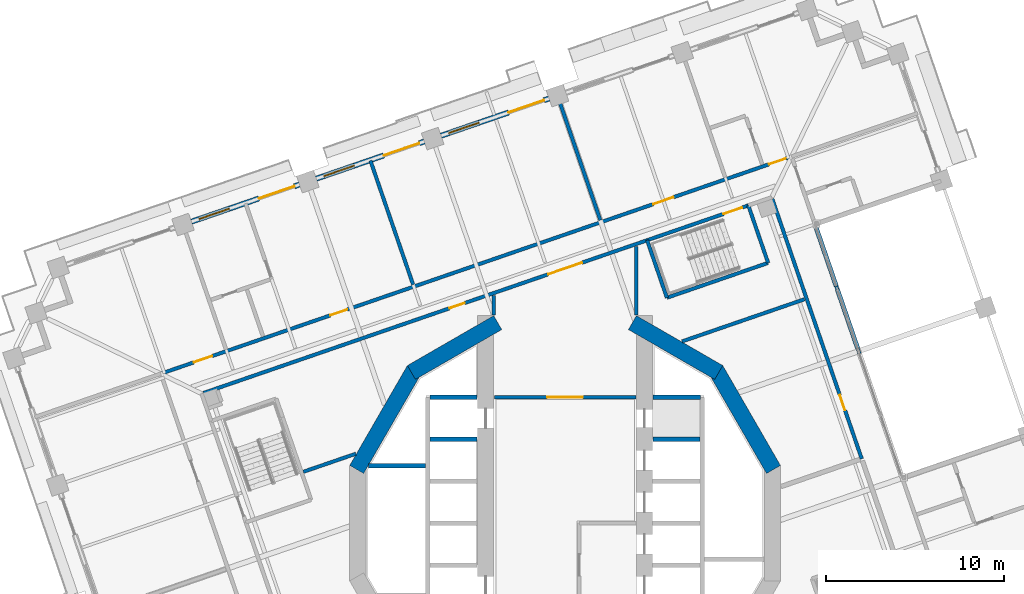
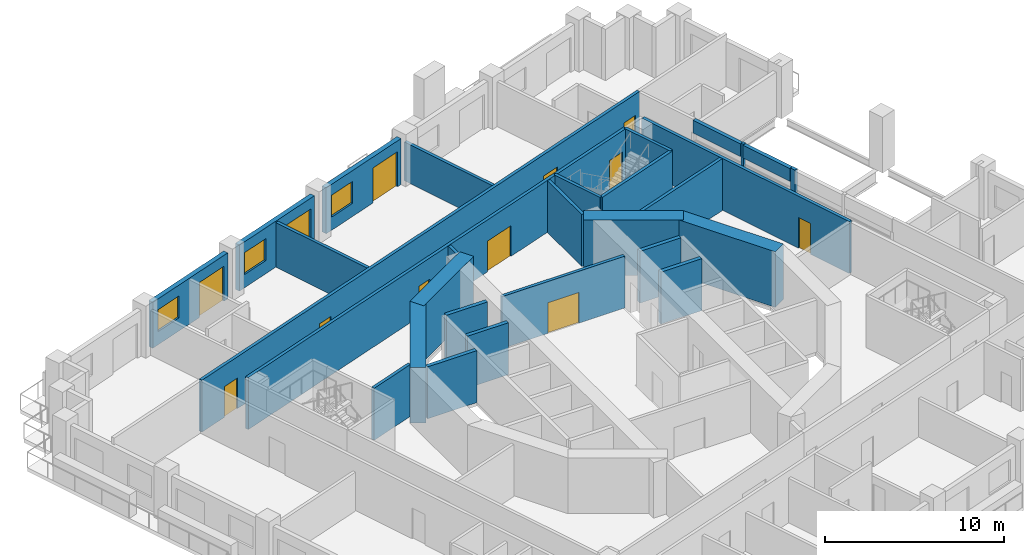
# One storey, part 11 of 19: 30 walls, 12 doors, 3 windows, 15 openings.
"""IFC4 building model written with IfcOpenShell, lengths in metres."""

from ifc_helpers import new_model, si_unit, direction, frame, frame_2d, origin, place, context, subcontext, project, spatial, rectangle, extrude, material, layer, layer_set, type_object, element, fill, save


model = new_model("IFC4")

# Units and contexts
model_context = context("Model", 3, precision=1e-05, world=origin(), true_north=direction((0.0, 1.0)))
body_context = subcontext(model_context, "Body", "Model", "MODEL_VIEW")
ifc_project = project(units=[si_unit("LENGTHUNIT", "METRE"), si_unit("AREAUNIT", "SQUARE_METRE"), si_unit("VOLUMEUNIT", "CUBIC_METRE"), si_unit("PLANEANGLEUNIT", "RADIAN"), si_unit("MASSUNIT", "GRAM", prefix="KILO")], contexts=[model_context])

# Site, building, storey
site_placement = place(None, origin())
site = spatial("IfcSite", under=ifc_project, at=site_placement, CompositionType="ELEMENT")
building_placement = place(site_placement, origin())
building = spatial("IfcBuilding", under=site, at=building_placement, Name="Cantera Rosa Tower", CompositionType="ELEMENT")
storey_placement = place(building_placement, frame((0.0, 0.0, 130.699951171875)))
storey = spatial("IfcBuildingStorey", under=building, at=storey_placement, Name="L27", CompositionType="ELEMENT", Elevation=130.699951171875)

# Wall
ifc_material_1 = material(Name="Gypsum board partition")
ifc_layer_1 = layer(ifc_material_1, 0.199951171875)
ifc_layer_set_1 = layer_set([ifc_layer_1], Name="CORRIDOR WALL 200 H3550")
wall_type_1 = type_object("IfcWallType", Name="CORRIDOR WALL 200 H3550", PredefinedType="PARTITIONING", material=ifc_layer_set_1)
wall_1_placement = place(storey_placement, frame((-4.0, 12.760498046875, 0.0), z_axis=(0.0, 0.0, 1.0), x_axis=(0.0, -1.0, 0.0)))
element("IfcWall", 1, at=wall_1_placement, inside=storey, type_object=wall_type_1, Name="CORRIDOR WALL L27-043", PredefinedType="PARTITIONING", context=body_context, shape_type="SweptSolid", body=[
    extrude(rectangle(XDim=1.09326171875, YDim=0.199951171875, at=frame_2d((0.546630859375, 0.0))), origin(), (0.0, 0.0, 1.0), 3.550048828125),
])

# Wall, opening, door
wall_2_placement = place(storey_placement, frame((-3.969970703125, 7.050048828125, 0.0), z_axis=(0.0, 0.0, 1.0), x_axis=(1.0, 0.0, 0.0)))
wall_2 = element("IfcWall", 2, at=wall_2_placement, inside=storey, type_object=wall_type_1, Name="CORRIDOR WALL L27-044", PredefinedType="PARTITIONING", context=body_context, shape_type="SweptSolid", body=[
    extrude(rectangle(XDim=7.93994140625, YDim=0.199951171875, at=frame_2d((3.969970703125, 0.0))), origin(), (0.0, 0.0, 1.0), 3.550048828125),
])
opening_1_placement = place(wall_2_placement, frame((2.969970703125, 0.0, 0.0)))
opening_1 = element("IfcOpeningElement", 3, at=opening_1_placement, cuts=wall_2, Name="Opening L27-010", PredefinedType="OPENING", context=body_context, shape_type="SweptSolid", body=[
    extrude(rectangle(XDim=2.0, YDim=2.10009765625, at=frame_2d((1.0, 1.050048828125))), frame((0.0, 0.10986328125, 0.0), z_axis=(0.0, -1.0, 0.0), x_axis=(1.0, 0.0, 0.0)), (0.0, 0.0, 1.0), 0.219970703125),
])
ifc_material_2 = material(Name="Steel S355J2 (EN 10025-2)", Category="steel")
door_type_1 = type_object("IfcDoorType", Name="LOBBY SCREEN DOOR 2000x2100", OperationType="NOTDEFINED", PredefinedType="DOOR", material=ifc_material_2)
door_1_placement = place(opening_1_placement, origin())
door_1 = element("IfcDoor", 4, at=door_1_placement, inside=storey, type_object=door_type_1, Name="DOOR L27-010", OperationType="NOTDEFINED", OverallHeight=2.10009765625, OverallWidth=2.0, PredefinedType="DOOR", context=body_context, shape_type="SweptSolid", body=[
    extrude(rectangle(XDim=2.0, YDim=2.10009765625, at=frame_2d((1.0, 1.050048828125))), frame((0.0, 0.02490234375, 0.0), z_axis=(0.0, -1.0, 0.0), x_axis=(1.0, 0.0, 0.0)), (0.0, 0.0, 1.0), 0.050048828125),
])
fill(opening_1, door_1)

# Wall
wall_3_placement = place(storey_placement, frame((4.0, 15.51513671875, 0.0), z_axis=(0.0, 0.0, 1.0), x_axis=(0.0, -1.0, 0.0)))
element("IfcWall", 5, at=wall_3_placement, inside=storey, type_object=wall_type_1, Name="CORRIDOR WALL L27-056", PredefinedType="PARTITIONING", context=body_context, shape_type="SweptSolid", body=[
    extrude(rectangle(XDim=3.847900390625, YDim=0.199951171875, at=frame_2d((1.923828125, 0.0))), origin(), (0.0, 0.0, 1.0), 3.550048828125),
])

# Wall, openings, doors
wall_4_placement = place(storey_placement, frame((4.599365234375, 15.861572265625, 0.0), z_axis=(0.0, 0.0, 1.0), x_axis=(-0.94551912499, -0.325566558907, 0.0)))
wall_4 = element("IfcWall", 6, at=wall_4_placement, inside=storey, type_object=wall_type_1, Name="CORRIDOR WALL L27-057", PredefinedType="PARTITIONING", context=body_context, shape_type="SweptSolid", body=[
    extrude(rectangle(XDim=26.292724609375, YDim=0.199951171875, at=frame_2d((13.146484375, 0.0))), origin(), (0.0, 0.0, 1.0), 3.550048828125),
])
opening_2_placement = place(wall_4_placement, frame((10.8095703125, 0.0, 0.0)))
opening_2 = element("IfcOpeningElement", 7, at=opening_2_placement, cuts=wall_4, Name="Opening L27-005", PredefinedType="OPENING", context=body_context, shape_type="SweptSolid", body=[
    extrude(rectangle(XDim=0.89990234375, YDim=2.10009765625, at=frame_2d((0.449951171875, 1.050048828125))), frame((0.0, 0.10986328125, 0.0), z_axis=(0.0, -1.0, 0.0), x_axis=(1.0, 0.0, 0.0)), (0.0, 0.0, 1.0), 0.219970703125),
])
opening_3_placement = place(wall_4_placement, frame((3.864501953125, 0.0, 0.0)))
opening_3 = element("IfcOpeningElement", 8, at=opening_3_placement, cuts=wall_4, Name="Opening L27-009", PredefinedType="OPENING", context=body_context, shape_type="SweptSolid", body=[
    extrude(rectangle(XDim=2.0, YDim=2.10009765625, at=frame_2d((1.0, 1.050048828125))), frame((0.0, 0.10986328125, 0.0), z_axis=(0.0, -1.0, 0.0), x_axis=(1.0, 0.0, 0.0)), (0.0, 0.0, 1.0), 0.219970703125),
])
door_2_placement = place(opening_3_placement, origin())
door_2 = element("IfcDoor", 9, at=door_2_placement, inside=storey, type_object=door_type_1, Name="DOOR L27-009", OperationType="NOTDEFINED", OverallHeight=2.10009765625, OverallWidth=2.0, PredefinedType="DOOR", context=body_context, shape_type="SweptSolid", body=[
    extrude(rectangle(XDim=2.0, YDim=2.10009765625, at=frame_2d((1.0, 1.050048828125))), frame((0.0, 0.02490234375, 0.0), z_axis=(0.0, -1.0, 0.0), x_axis=(1.0, 0.0, 0.0)), (0.0, 0.0, 1.0), 0.050048828125),
])
fill(opening_3, door_2)
ifc_material_3 = material(Name="Timber door leaf", Category="wood")
door_type_2 = type_object("IfcDoorType", Name="SERVICE DOOR 900x2100", OperationType="NOTDEFINED", PredefinedType="DOOR", material=ifc_material_3)
door_3_placement = place(opening_2_placement, origin())
door_3 = element("IfcDoor", 10, at=door_3_placement, inside=storey, type_object=door_type_2, Name="DOOR L27-005", OperationType="NOTDEFINED", OverallHeight=2.10009765625, OverallWidth=0.89990234375, PredefinedType="DOOR", context=body_context, shape_type="SweptSolid", body=[
    extrude(rectangle(XDim=0.89990234375, YDim=2.10009765625, at=frame_2d((0.449951171875, 1.050048828125))), frame((0.0, 0.02490234375, 0.0), z_axis=(0.0, -1.0, 0.0), x_axis=(1.0, 0.0, 0.0)), (0.0, 0.0, 1.0), 0.050048828125),
])
fill(opening_2, door_3)

wall_5_placement = place(storey_placement, frame((12.699951171875, 20.5546875, 0.0), z_axis=(0.0, 0.0, 1.0), x_axis=(-0.945517119144, -0.32557238428, 0.0)))
wall_5 = element("IfcWall", 11, at=wall_5_placement, inside=storey, type_object=wall_type_1, Name="CORRIDOR WALL L27-078", PredefinedType="PARTITIONING", context=body_context, shape_type="SweptSolid", body=[
    extrude(rectangle(XDim=37.380126953125, YDim=0.199951171875, at=frame_2d((18.68994140625, 0.0))), origin(), (0.0, 0.0, 1.0), 3.550048828125),
])
opening_4_placement = place(wall_5_placement, frame((7.0, 0.0, 0.0)))
opening_4 = element("IfcOpeningElement", 12, at=opening_4_placement, cuts=wall_5, Name="Opening L27-020", PredefinedType="OPENING", context=body_context, shape_type="SweptSolid", body=[
    extrude(rectangle(XDim=1.199951171875, YDim=2.10009765625, at=frame_2d((0.60009765625, 1.050048828125))), frame((0.0, 0.10986328125, 0.0), z_axis=(0.0, -1.0, 0.0), x_axis=(1.0, 0.0, 0.0)), (0.0, 0.0, 1.0), 0.219970703125),
])
opening_5_placement = place(wall_5_placement, frame((26.35009765625, 0.0, 0.0)))
opening_5 = element("IfcOpeningElement", 13, at=opening_5_placement, cuts=wall_5, Name="Opening L27-021", PredefinedType="OPENING", context=body_context, shape_type="SweptSolid", body=[
    extrude(rectangle(XDim=1.0, YDim=2.10009765625, at=frame_2d((0.5, 1.050048828125))), frame((0.0, 0.10986328125, 0.0), z_axis=(0.0, -1.0, 0.0), x_axis=(1.0, 0.0, 0.0)), (0.0, 0.0, 1.0), 0.219970703125),
])
opening_6_placement = place(wall_5_placement, frame((0.35009765625, 0.0, 0.0)))
opening_6 = element("IfcOpeningElement", 14, at=opening_6_placement, cuts=wall_5, Name="Opening L27-024", PredefinedType="OPENING", context=body_context, shape_type="SweptSolid", body=[
    extrude(rectangle(XDim=1.0, YDim=2.10009765625, at=frame_2d((0.5, 1.050048828125))), frame((0.0, 0.10986328125, 0.0), z_axis=(0.0, -1.0, 0.0), x_axis=(1.0, 0.0, 0.0)), (0.0, 0.0, 1.0), 0.219970703125),
])
opening_7_placement = place(wall_5_placement, frame((34.35009765625, 0.0, 0.0)))
opening_7 = element("IfcOpeningElement", 15, at=opening_7_placement, cuts=wall_5, Name="Opening L27-026", PredefinedType="OPENING", context=body_context, shape_type="SweptSolid", body=[
    extrude(rectangle(XDim=1.10009765625, YDim=2.10009765625, at=frame_2d((0.550048828125, 1.050048828125))), frame((0.0, 0.10986328125, 0.0), z_axis=(0.0, -1.0, 0.0), x_axis=(1.0, 0.0, 0.0)), (0.0, 0.0, 1.0), 0.219970703125),
])
ifc_material_4 = material(Name="Timber door leaf", Category="wood")
door_type_3 = type_object("IfcDoorType", Name="ENTRANCE DOOR 1000x2100", OperationType="NOTDEFINED", PredefinedType="DOOR", material=ifc_material_4)
door_4_placement = place(opening_5_placement, origin())
door_4 = element("IfcDoor", 16, at=door_4_placement, inside=storey, type_object=door_type_3, Name="DOOR L27-021", OperationType="NOTDEFINED", OverallHeight=2.10009765625, OverallWidth=1.0, PredefinedType="DOOR", context=body_context, shape_type="SweptSolid", body=[
    extrude(rectangle(XDim=1.0, YDim=2.10009765625, at=frame_2d((0.5, 1.050048828125))), frame((0.0, 0.02490234375, 0.0), z_axis=(0.0, -1.0, 0.0), x_axis=(1.0, 0.0, 0.0)), (0.0, 0.0, 1.0), 0.050048828125),
])
fill(opening_5, door_4)
door_5_placement = place(opening_6_placement, origin())
door_5 = element("IfcDoor", 17, at=door_5_placement, inside=storey, type_object=door_type_3, Name="DOOR L27-024", OperationType="NOTDEFINED", OverallHeight=2.10009765625, OverallWidth=1.0, PredefinedType="DOOR", context=body_context, shape_type="SweptSolid", body=[
    extrude(rectangle(XDim=1.0, YDim=2.10009765625, at=frame_2d((0.5, 1.050048828125))), frame((0.0, 0.02490234375, 0.0), z_axis=(0.0, -1.0, 0.0), x_axis=(1.0, 0.0, 0.0)), (0.0, 0.0, 1.0), 0.050048828125),
])
fill(opening_6, door_5)
ifc_material_5 = material(Name="Timber door leaf", Category="wood")
door_type_4 = type_object("IfcDoorType", Name="ROOM DOOR 1100x2100", OperationType="NOTDEFINED", PredefinedType="DOOR", material=ifc_material_5)
door_6_placement = place(opening_7_placement, origin())
door_6 = element("IfcDoor", 18, at=door_6_placement, inside=storey, type_object=door_type_4, Name="DOOR L27-026", OperationType="NOTDEFINED", OverallHeight=2.10009765625, OverallWidth=1.10009765625, PredefinedType="DOOR", context=body_context, shape_type="SweptSolid", body=[
    extrude(rectangle(XDim=1.10009765625, YDim=2.10009765625, at=frame_2d((0.550048828125, 1.050048828125))), frame((0.0, 0.02490234375, 0.0), z_axis=(0.0, -1.0, 0.0), x_axis=(1.0, 0.0, 0.0)), (0.0, 0.0, 1.0), 0.050048828125),
])
fill(opening_7, door_6)
ifc_material_6 = material(Name="Timber door leaf", Category="wood")
door_type_5 = type_object("IfcDoorType", Name="ROOM DOOR 1200x2100", OperationType="NOTDEFINED", PredefinedType="DOOR", material=ifc_material_6)
door_7_placement = place(opening_4_placement, origin())
door_7 = element("IfcDoor", 19, at=door_7_placement, inside=storey, type_object=door_type_5, Name="DOOR L27-020", OperationType="NOTDEFINED", OverallHeight=2.10009765625, OverallWidth=1.199951171875, PredefinedType="DOOR", context=body_context, shape_type="SweptSolid", body=[
    extrude(rectangle(XDim=1.199951171875, YDim=2.10009765625, at=frame_2d((0.60009765625, 1.050048828125))), frame((0.0, 0.02490234375, 0.0), z_axis=(0.0, -1.0, 0.0), x_axis=(1.0, 0.0, 0.0)), (0.0, 0.0, 1.0), 0.050048828125),
])
fill(opening_4, door_7)

# Wall, opening, door
wall_6_placement = place(storey_placement, frame((16.63037109375, 3.611083984375, 0.0), z_axis=(0.0, 0.0, 1.0), x_axis=(-0.325562662284, 0.945520466689, 0.0)))
wall_6 = element("IfcWall", 20, at=wall_6_placement, inside=storey, type_object=wall_type_1, Name="CORRIDOR WALL L27-084", PredefinedType="PARTITIONING", context=body_context, shape_type="SweptSolid", body=[
    extrude(rectangle(XDim=15.39990234375, YDim=0.199951171875, at=frame_2d((7.699951171875, 0.0))), origin(), (0.0, 0.0, 1.0), 3.550048828125),
])
opening_8_placement = place(wall_6_placement, frame((2.875, 0.0, 0.0)))
opening_8 = element("IfcOpeningElement", 21, at=opening_8_placement, cuts=wall_6, Name="Opening L27-004", PredefinedType="OPENING", context=body_context, shape_type="SweptSolid", body=[
    extrude(rectangle(XDim=0.89990234375, YDim=2.10009765625, at=frame_2d((0.449951171875, 1.050048828125))), frame((0.0, 0.10986328125, 0.0), z_axis=(0.0, -1.0, 0.0), x_axis=(1.0, 0.0, 0.0)), (0.0, 0.0, 1.0), 0.219970703125),
])
door_8_placement = place(opening_8_placement, origin())
door_8 = element("IfcDoor", 22, at=door_8_placement, inside=storey, type_object=door_type_2, Name="DOOR L27-004", OperationType="NOTDEFINED", OverallHeight=2.10009765625, OverallWidth=0.89990234375, PredefinedType="DOOR", context=body_context, shape_type="SweptSolid", body=[
    extrude(rectangle(XDim=0.89990234375, YDim=2.10009765625, at=frame_2d((0.449951171875, 1.050048828125))), frame((0.0, 0.02490234375, 0.0), z_axis=(0.0, -1.0, 0.0), x_axis=(1.0, 0.0, 0.0)), (0.0, 0.0, 1.0), 0.050048828125),
])
fill(opening_8, door_8)

# Walls
wall_7_placement = place(storey_placement, frame((16.510986328125, 9.486328125, 0.0), z_axis=(0.0, 0.0, 1.0), x_axis=(-0.325038663905, 0.945700728014, 0.0)))
element("IfcWall", 23, at=wall_7_placement, inside=storey, type_object=wall_type_1, Name="CORRIDOR WALL L27-100", PredefinedType="PARTITIONING", context=body_context, shape_type="SweptSolid", body=[
    extrude(rectangle(XDim=0.33203125, YDim=0.199951171875, at=frame_2d((0.166015625, 0.0))), origin(), (0.0, 0.0, 1.0), 3.550048828125),
])
wall_8_placement = place(storey_placement, frame((15.264404296875, 13.106689453125, 0.0), z_axis=(0.0, 0.0, 1.0), x_axis=(-0.324903788454, 0.945747074142, 0.0)))
element("IfcWall", 24, at=wall_8_placement, inside=storey, type_object=wall_type_1, Name="CORRIDOR WALL L27-101", PredefinedType="PARTITIONING", context=body_context, shape_type="SweptSolid", body=[
    extrude(rectangle(XDim=0.19384765625, YDim=0.199951171875, at=frame_2d((0.096923828125, 0.0))), origin(), (0.0, 0.0, 1.0), 3.550048828125),
])

# Wall, openings, window, door
ifc_material_7 = material(Name="Hollow clay masonry with cantera stone cladding", Category="masonry")
ifc_layer_2 = layer(ifc_material_7, 0.300048828125)
ifc_layer_set_2 = layer_set([ifc_layer_2], Name="EW-LOGGIA 300 H3140")
wall_type_2 = type_object("IfcWallType", Name="EW-LOGGIA 300 H3140", PredefinedType="SOLIDWALL", material=ifc_layer_set_2)
wall_9_placement = place(storey_placement, frame((-0.89892578125, 23.80419921875, 0.0), z_axis=(0.0, 0.0, 1.0), x_axis=(-0.945524496524, -0.325550958337, 0.0)))
wall_9 = element("IfcWall", 25, at=wall_9_placement, inside=storey, type_object=wall_type_2, Name="EN-L27-W10", PredefinedType="SOLIDWALL", context=body_context, shape_type="SweptSolid", body=[
    extrude(rectangle(XDim=6.39990234375, YDim=0.300048828125, at=frame_2d((3.199951171875, 0.0))), origin(), (0.0, 0.0, 1.0), 3.14013671875),
])
opening_9_placement = place(wall_9_placement, frame((0.300048828125, 0.0, 0.0)))
opening_9 = element("IfcOpeningElement", 26, at=opening_9_placement, cuts=wall_9, Name="Opening L27-TD11", PredefinedType="OPENING", context=body_context, shape_type="SweptSolid", body=[
    extrude(rectangle(XDim=2.10009765625, YDim=2.39990234375, at=frame_2d((1.050048828125, 1.199951171875))), frame((0.0, 0.159912109375, 0.0), z_axis=(0.0, -1.0, 0.0), x_axis=(1.0, 0.0, 0.0)), (0.0, 0.0, 1.0), 0.320068359375),
])
opening_10_placement = place(wall_9_placement, frame((4.14990234375, 0.0, 0.89990234375)))
opening_10 = element("IfcOpeningElement", 27, at=opening_10_placement, cuts=wall_9, Name="Opening L27-W12", PredefinedType="OPENING", context=body_context, shape_type="SweptSolid", body=[
    extrude(rectangle(XDim=1.800048828125, YDim=1.5, at=frame_2d((0.89990234375, 0.75))), frame((0.0, 0.159912109375, 0.0), z_axis=(0.0, -1.0, 0.0), x_axis=(1.0, 0.0, 0.0)), (0.0, 0.0, 1.0), 0.320068359375),
])
ifc_material_8 = material(Name="Aluminium frame with clear glass", Category="aluminium")
window_type = type_object("IfcWindowType", Name="Hotel room window 1800x1500", PartitioningType="DOUBLE_PANEL_VERTICAL", PredefinedType="WINDOW", material=ifc_material_8)
window_1_placement = place(opening_10_placement, origin())
window_1 = element("IfcWindow", 28, at=window_1_placement, inside=storey, type_object=window_type, Name="WINDOW L27-W12", OverallHeight=1.5, OverallWidth=1.800048828125, PartitioningType="SINGLE_PANEL", PredefinedType="WINDOW", context=body_context, shape_type="SweptSolid", body=[
    extrude(rectangle(XDim=1.800048828125, YDim=1.5, at=frame_2d((0.89990234375, 0.75))), frame((0.0, 0.030029296875, 0.0), z_axis=(0.0, -1.0, 0.0), x_axis=(1.0, 0.0, 0.0)), (0.0, 0.0, 1.0), 0.06005859375),
])
fill(opening_10, window_1)
ifc_material_9 = material(Name="Aluminium frame with clear glass", Category="aluminium")
door_type_6 = type_object("IfcDoorType", Name="TD-H 2100x2400", OperationType="NOTDEFINED", PredefinedType="DOOR", material=ifc_material_9)
door_9_placement = place(opening_9_placement, origin())
door_9 = element("IfcDoor", 29, at=door_9_placement, inside=storey, type_object=door_type_6, Name="LOGGIA DOOR L27-TD11", OperationType="SLIDING_TO_LEFT", OverallHeight=2.39990234375, OverallWidth=2.10009765625, PredefinedType="DOOR", context=body_context, shape_type="SweptSolid", body=[
    extrude(rectangle(XDim=2.10009765625, YDim=2.39990234375, at=frame_2d((1.050048828125, 1.199951171875))), frame((0.0, 0.02490234375, 0.0), z_axis=(0.0, -1.0, 0.0), x_axis=(1.0, 0.0, 0.0)), (0.0, 0.0, 1.0), 0.050048828125),
])
fill(opening_9, door_9)

wall_10_placement = place(storey_placement, frame((-7.895751953125, 21.39501953125, 0.0), z_axis=(0.0, 0.0, 1.0), x_axis=(-0.945524496524, -0.325550958337, 0.0)))
wall_10 = element("IfcWall", 30, at=wall_10_placement, inside=storey, type_object=wall_type_2, Name="EN-L27-W11", PredefinedType="SOLIDWALL", context=body_context, shape_type="SweptSolid", body=[
    extrude(rectangle(XDim=6.39990234375, YDim=0.300048828125, at=frame_2d((3.199951171875, 0.0))), origin(), (0.0, 0.0, 1.0), 3.14013671875),
])
opening_11_placement = place(wall_10_placement, frame((0.300048828125, 0.0, 0.0)))
opening_11 = element("IfcOpeningElement", 31, at=opening_11_placement, cuts=wall_10, Name="Opening L27-TD13", PredefinedType="OPENING", context=body_context, shape_type="SweptSolid", body=[
    extrude(rectangle(XDim=2.10009765625, YDim=2.39990234375, at=frame_2d((1.050048828125, 1.199951171875))), frame((0.0, 0.159912109375, 0.0), z_axis=(0.0, -1.0, 0.0), x_axis=(1.0, 0.0, 0.0)), (0.0, 0.0, 1.0), 0.320068359375),
])
opening_12_placement = place(wall_10_placement, frame((4.14990234375, 0.0, 0.89990234375)))
opening_12 = element("IfcOpeningElement", 32, at=opening_12_placement, cuts=wall_10, Name="Opening L27-W14", PredefinedType="OPENING", context=body_context, shape_type="SweptSolid", body=[
    extrude(rectangle(XDim=1.800048828125, YDim=1.5, at=frame_2d((0.89990234375, 0.75))), frame((0.0, 0.159912109375, 0.0), z_axis=(0.0, -1.0, 0.0), x_axis=(1.0, 0.0, 0.0)), (0.0, 0.0, 1.0), 0.320068359375),
])
window_2_placement = place(opening_12_placement, origin())
window_2 = element("IfcWindow", 33, at=window_2_placement, inside=storey, type_object=window_type, Name="WINDOW L27-W14", OverallHeight=1.5, OverallWidth=1.800048828125, PartitioningType="SINGLE_PANEL", PredefinedType="WINDOW", context=body_context, shape_type="SweptSolid", body=[
    extrude(rectangle(XDim=1.800048828125, YDim=1.5, at=frame_2d((0.89990234375, 0.75))), frame((0.0, 0.030029296875, 0.0), z_axis=(0.0, -1.0, 0.0), x_axis=(1.0, 0.0, 0.0)), (0.0, 0.0, 1.0), 0.06005859375),
])
fill(opening_12, window_2)
door_10_placement = place(opening_11_placement, origin())
door_10 = element("IfcDoor", 34, at=door_10_placement, inside=storey, type_object=door_type_6, Name="LOGGIA DOOR L27-TD13", OperationType="SLIDING_TO_LEFT", OverallHeight=2.39990234375, OverallWidth=2.10009765625, PredefinedType="DOOR", context=body_context, shape_type="SweptSolid", body=[
    extrude(rectangle(XDim=2.10009765625, YDim=2.39990234375, at=frame_2d((1.050048828125, 1.199951171875))), frame((0.0, 0.02490234375, 0.0), z_axis=(0.0, -1.0, 0.0), x_axis=(1.0, 0.0, 0.0)), (0.0, 0.0, 1.0), 0.050048828125),
])
fill(opening_11, door_10)

wall_11_placement = place(storey_placement, frame((-14.892578125, 18.98583984375, 0.0), z_axis=(0.0, 0.0, 1.0), x_axis=(-0.945512753621, -0.325585062219, 0.0)))
wall_11 = element("IfcWall", 35, at=wall_11_placement, inside=storey, type_object=wall_type_2, Name="EN-L27-W12", PredefinedType="SOLIDWALL", context=body_context, shape_type="SweptSolid", body=[
    extrude(rectangle(XDim=6.39990234375, YDim=0.300048828125, at=frame_2d((3.199951171875, 0.0))), origin(), (0.0, 0.0, 1.0), 3.14013671875),
])
opening_13_placement = place(wall_11_placement, frame((0.300048828125, 0.0, 0.0)))
opening_13 = element("IfcOpeningElement", 36, at=opening_13_placement, cuts=wall_11, Name="Opening L27-TD15", PredefinedType="OPENING", context=body_context, shape_type="SweptSolid", body=[
    extrude(rectangle(XDim=2.10009765625, YDim=2.39990234375, at=frame_2d((1.050048828125, 1.199951171875))), frame((0.0, 0.159912109375, 0.0), z_axis=(0.0, -1.0, 0.0), x_axis=(1.0, 0.0, 0.0)), (0.0, 0.0, 1.0), 0.320068359375),
])
opening_14_placement = place(wall_11_placement, frame((4.14990234375, 0.0, 0.89990234375)))
opening_14 = element("IfcOpeningElement", 37, at=opening_14_placement, cuts=wall_11, Name="Opening L27-W16", PredefinedType="OPENING", context=body_context, shape_type="SweptSolid", body=[
    extrude(rectangle(XDim=1.800048828125, YDim=1.5, at=frame_2d((0.89990234375, 0.75))), frame((0.0, 0.159912109375, 0.0), z_axis=(0.0, -1.0, 0.0), x_axis=(1.0, 0.0, 0.0)), (0.0, 0.0, 1.0), 0.320068359375),
])
window_3_placement = place(opening_14_placement, origin())
window_3 = element("IfcWindow", 38, at=window_3_placement, inside=storey, type_object=window_type, Name="WINDOW L27-W16", OverallHeight=1.5, OverallWidth=1.800048828125, PartitioningType="SINGLE_PANEL", PredefinedType="WINDOW", context=body_context, shape_type="SweptSolid", body=[
    extrude(rectangle(XDim=1.800048828125, YDim=1.5, at=frame_2d((0.89990234375, 0.75))), frame((0.0, 0.030029296875, 0.0), z_axis=(0.0, -1.0, 0.0), x_axis=(1.0, 0.0, 0.0)), (0.0, 0.0, 1.0), 0.06005859375),
])
fill(opening_14, window_3)
door_11_placement = place(opening_13_placement, origin())
door_11 = element("IfcDoor", 39, at=door_11_placement, inside=storey, type_object=door_type_6, Name="LOGGIA DOOR L27-TD15", OperationType="SLIDING_TO_LEFT", OverallHeight=2.39990234375, OverallWidth=2.10009765625, PredefinedType="DOOR", context=body_context, shape_type="SweptSolid", body=[
    extrude(rectangle(XDim=2.10009765625, YDim=2.39990234375, at=frame_2d((1.050048828125, 1.199951171875))), frame((0.0, 0.02490234375, 0.0), z_axis=(0.0, -1.0, 0.0), x_axis=(1.0, 0.0, 0.0)), (0.0, 0.0, 1.0), 0.050048828125),
])
fill(opening_13, door_11)

# Walls
ifc_material_10 = material(Name="Hollow clay masonry with cantera stone cladding", Category="masonry")
ifc_layer_3 = layer(ifc_material_10, 0.25)
ifc_layer_set_3 = layer_set([ifc_layer_3], Name="EW-POCKET REAR 250")
wall_type_3 = type_object("IfcWallType", Name="EW-POCKET REAR 250", PredefinedType="SOLIDWALL", material=ifc_layer_set_3)
wall_12_placement = place(storey_placement, frame((16.403076171875, 9.80029296875, 2.634033203125), z_axis=(0.0, 0.0, 1.0), x_axis=(-0.325616284174, 0.945502001838, 0.0)))
element("IfcWall", 40, at=wall_12_placement, inside=storey, type_object=wall_type_3, Name="POCKET SPANDREL L27-3", PredefinedType="SOLIDWALL", context=body_context, shape_type="SweptSolid", body=[
    extrude(rectangle(XDim=3.4970703125, YDim=0.25, at=frame_2d((1.74853515625, 0.0))), origin(), (0.0, 0.0, 1.0), 0.865966796875),
])
wall_13_placement = place(storey_placement, frame((15.201416015625, 13.2900390625, 2.634033203125), z_axis=(0.0, 0.0, 1.0), x_axis=(-0.3255483351, 0.945525399719, 0.0)))
element("IfcWall", 41, at=wall_13_placement, inside=storey, type_object=wall_type_3, Name="POCKET SPANDREL L27-4", PredefinedType="SOLIDWALL", context=body_context, shape_type="SweptSolid", body=[
    extrude(rectangle(XDim=3.5380859375, YDim=0.25, at=frame_2d((1.76904296875, 0.0))), origin(), (0.0, 0.0, 1.0), 0.865966796875),
])
ifc_material_11 = material(Name="Gypsum board partition")
ifc_layer_4 = layer(ifc_material_11, 0.199951171875)
ifc_layer_set_4 = layer_set([ifc_layer_4], Name="PARTITION 200 H2650")
wall_type_4 = type_object("IfcWallType", Name="PARTITION 200 H2650", PredefinedType="PARTITIONING", material=ifc_layer_set_4)
wall_14_placement = place(storey_placement, frame((1.9765625, 16.989013671875, 0.0), z_axis=(0.0, 0.0, 1.0), x_axis=(-0.325549451152, 0.945525015457, 0.0)))
element("IfcWall", 42, at=wall_14_placement, inside=storey, type_object=wall_type_4, Name="PARTITION L27-049", PredefinedType="PARTITIONING", context=body_context, shape_type="SweptSolid", body=[
    extrude(rectangle(XDim=7.35009765625, YDim=0.199951171875, at=frame_2d((3.675048828125, 0.0))), origin(), (0.0, 0.0, 1.0), 2.650146484375),
])
ifc_material_12 = material(Name="Gypsum board partition")
ifc_layer_5 = layer(ifc_material_12, 0.199951171875)
ifc_layer_set_5 = layer_set([ifc_layer_5], Name="PARTITION 200 H3050")
wall_type_5 = type_object("IfcWallType", Name="PARTITION 200 H3050", PredefinedType="PARTITIONING", material=ifc_layer_set_5)
wall_15_placement = place(storey_placement, frame((-10.91162109375, 20.324951171875, 0.0), z_axis=(0.0, 0.0, 1.0), x_axis=(0.325549451152, -0.945525015457, 0.0)))
element("IfcWall", 43, at=wall_15_placement, inside=storey, type_object=wall_type_5, Name="PARTITION L27-026", PredefinedType="PARTITIONING", context=body_context, shape_type="SweptSolid", body=[
    extrude(rectangle(XDim=7.35009765625, YDim=0.199951171875, at=frame_2d((3.675048828125, 0.0))), origin(), (0.0, 0.0, 1.0), 3.050048828125),
])
ifc_material_13 = material(Name="Gypsum board partition")
ifc_layer_6 = layer(ifc_material_13, 0.199951171875)
ifc_layer_set_6 = layer_set([ifc_layer_6], Name="PARTITION 200 H3550")
wall_type_6 = type_object("IfcWallType", Name="PARTITION 200 H3550", PredefinedType="PARTITIONING", material=ifc_layer_set_6)
wall_16_placement = place(storey_placement, frame((-11.728515625, 3.893798828125, 0.0), z_axis=(0.0, 0.0, 1.0), x_axis=(-0.945518607186, -0.325568062721, 0.0)))
element("IfcWall", 44, at=wall_16_placement, inside=storey, type_object=wall_type_6, Name="PARTITION L27-022", PredefinedType="PARTITIONING", context=body_context, shape_type="SweptSolid", body=[
    extrude(rectangle(XDim=3.11572265625, YDim=0.199951171875, at=frame_2d((1.557861328125, 0.0))), origin(), (0.0, 0.0, 1.0), 3.550048828125),
])
wall_17_placement = place(storey_placement, frame((6.55810546875, 10.190185546875, 0.0), z_axis=(0.0, 0.0, 1.0), x_axis=(0.945513664342, 0.325582417434, 0.0)))
element("IfcWall", 45, at=wall_17_placement, inside=storey, type_object=wall_type_6, Name="PARTITION L27-063", PredefinedType="PARTITIONING", context=body_context, shape_type="SweptSolid", body=[
    extrude(rectangle(XDim=7.26171875, YDim=0.199951171875, at=frame_2d((3.630859375, 0.0))), origin(), (0.0, 0.0, 1.0), 3.550048828125),
])
ifc_material_14 = material(Name="Concrete C70/85", Category="concrete")
ifc_layer_7 = layer(ifc_material_14, 0.89990234375)
ifc_layer_set_7 = layer_set([ifc_layer_7], Name="RC CORE WALL 900 C70/85")
wall_type_7 = type_object("IfcWallType", Name="RC CORE WALL 900 C70/85", PredefinedType="SHEAR", material=ifc_layer_set_7)
wall_18_placement = place(storey_placement, frame((-11.684326171875, 3.01025390625, 0.0), z_axis=(0.0, 0.0, 1.0), x_axis=(0.499990282633, 0.866031014036, 0.0)))
element("IfcWall", 46, at=wall_18_placement, inside=storey, type_object=wall_type_7, Name="CW-W4 L27", PredefinedType="SHEAR", context=body_context, shape_type="SweptSolid", body=[
    extrude(rectangle(XDim=6.470458984375, YDim=0.89990234375, at=frame_2d((3.2353515625, 0.0))), origin(), (0.0, 0.0, 1.0), 3.800048828125),
])
for number, where, z_axis, x_axis, name in (
    (47, (-8.61376953125, 8.44921875, 0.0), (0.0, 0.0, 1.0), (0.866026961591, 0.49999730179, 0.0), "CW-W5 L27"),
    (48, (3.77490234375, 11.242919921875, 0.0), (0.0, 0.0, 1.0), (0.866026961591, -0.49999730179, 0.0), "CW-E1 L27"),
):
    element("IfcWall", number, at=place(storey_placement, frame(where, z_axis=z_axis, x_axis=x_axis)), inside=storey, type_object=wall_type_7, Name=name, PredefinedType="SHEAR", context=body_context, shape_type="SweptSolid", body=[
        extrude(rectangle(XDim=5.58740234375, YDim=0.89990234375, at=frame_2d((2.793701171875, 0.0))), origin(), (0.0, 0.0, 1.0), 3.800048828125),
    ])
wall_19_placement = place(storey_placement, frame((8.44921875, 8.61376953125, 0.0), z_axis=(0.0, 0.0, 1.0), x_axis=(0.499990282633, -0.866031014036, 0.0)))
element("IfcWall", 49, at=wall_19_placement, inside=storey, type_object=wall_type_7, Name="CW-E2 L27", PredefinedType="SHEAR", context=body_context, shape_type="SweptSolid", body=[
    extrude(rectangle(XDim=6.470458984375, YDim=0.89990234375, at=frame_2d((3.2353515625, 0.0))), origin(), (0.0, 0.0, 1.0), 3.800048828125),
])
ifc_material_15 = material(Name="Masonry blockwork", Category="masonry")
ifc_layer_8 = layer(ifc_material_15, 0.25)
ifc_layer_set_8 = layer_set([ifc_layer_8], Name="SHAFT WALL 250 H3550")
wall_type_8 = type_object("IfcWallType", Name="SHAFT WALL 250 H3550", PredefinedType="SOLIDWALL", material=ifc_layer_set_8)
wall_20_placement = place(storey_placement, frame((-11.0068359375, 3.2236328125, 0.0), z_axis=(0.0, 0.0, 1.0), x_axis=(1.0, 0.0, 0.0)))
element("IfcWall", 50, at=wall_20_placement, inside=storey, type_object=wall_type_8, Name="SHAFT WALL L27-025", PredefinedType="SOLIDWALL", context=body_context, shape_type="SweptSolid", body=[
    extrude(rectangle(XDim=3.181884765625, YDim=0.25, at=frame_2d((1.5908203125, 0.0))), origin(), (0.0, 0.0, 1.0), 3.550048828125),
])
wall_21_placement = place(storey_placement, frame((-7.574951171875, 4.699951171875, 0.0), z_axis=(0.0, 0.0, 1.0), x_axis=(1.0, 0.0, 0.0)))
element("IfcWall", 51, at=wall_21_placement, inside=storey, type_object=wall_type_8, Name="SHAFT WALL L27-037", PredefinedType="SOLIDWALL", context=body_context, shape_type="SweptSolid", body=[
    extrude(rectangle(XDim=2.64501953125, YDim=0.25, at=frame_2d((1.322509765625, 0.0))), origin(), (0.0, 0.0, 1.0), 3.550048828125),
])
wall_22_placement = place(storey_placement, frame((-4.929931640625, 7.050048828125, 0.0), z_axis=(0.0, 0.0, 1.0), x_axis=(-1.0, 0.0, 0.0)))
element("IfcWall", 52, at=wall_22_placement, inside=storey, type_object=wall_type_8, Name="SHAFT WALL L27-041", PredefinedType="SOLIDWALL", context=body_context, shape_type="SweptSolid", body=[
    extrude(rectangle(XDim=2.650146484375, YDim=0.25, at=frame_2d((1.3251953125, 0.0))), origin(), (0.0, 0.0, 1.0), 3.550048828125),
])
wall_23_placement = place(storey_placement, frame((7.574951171875, 4.699951171875, 0.0), z_axis=(0.0, 0.0, 1.0), x_axis=(-1.0, 0.0, 0.0)))
element("IfcWall", 53, at=wall_23_placement, inside=storey, type_object=wall_type_8, Name="SHAFT WALL L27-069", PredefinedType="SOLIDWALL", context=body_context, shape_type="SweptSolid", body=[
    extrude(rectangle(XDim=2.64501953125, YDim=0.25, at=frame_2d((1.322509765625, 0.0))), origin(), (0.0, 0.0, 1.0), 3.550048828125),
])
wall_24_placement = place(storey_placement, frame((7.580078125, 7.050048828125, 0.0), z_axis=(0.0, 0.0, 1.0), x_axis=(-1.0, 0.0, 0.0)))
element("IfcWall", 54, at=wall_24_placement, inside=storey, type_object=wall_type_8, Name="SHAFT WALL L27-070", PredefinedType="SOLIDWALL", context=body_context, shape_type="SweptSolid", body=[
    extrude(rectangle(XDim=2.650146484375, YDim=0.25, at=frame_2d((1.3251953125, 0.0))), origin(), (0.0, 0.0, 1.0), 3.550048828125),
])
ifc_material_16 = material(Name="Concrete C50/60", Category="concrete")
ifc_layer_9 = layer(ifc_material_16, 0.199951171875)
ifc_layer_set_9 = layer_set([ifc_layer_9], Name="STAIR WALL 200 H3550")
wall_type_9 = type_object("IfcWallType", Name="STAIR WALL 200 H3550", PredefinedType="SOLIDWALL", material=ifc_layer_set_9)
wall_25_placement = place(storey_placement, frame((5.708740234375, 12.6396484375, 0.0), z_axis=(0.0, 0.0, 1.0), x_axis=(-0.325562292844, 0.945520593894, 0.0)))
element("IfcWall", 55, at=wall_25_placement, inside=storey, type_object=wall_type_9, Name="STAIR WALL L27-061", PredefinedType="SOLIDWALL", context=body_context, shape_type="SweptSolid", body=[
    extrude(rectangle(XDim=3.407470703125, YDim=0.199951171875, at=frame_2d((1.70361328125, 0.0))), origin(), (0.0, 0.0, 1.0), 3.550048828125),
])

# Wall, opening, door
wall_26_placement = place(storey_placement, frame((10.2724609375, 17.81494140625, 0.0), z_axis=(0.0, 0.0, 1.0), x_axis=(-0.945520338581, -0.325563034341, 0.0)))
wall_26 = element("IfcWall", 56, at=wall_26_placement, inside=storey, type_object=wall_type_9, Name="STAIR WALL L27-073", PredefinedType="SOLIDWALL", context=body_context, shape_type="SweptSolid", body=[
    extrude(rectangle(XDim=6.0, YDim=0.199951171875, at=frame_2d((3.0, 0.0))), origin(), (0.0, 0.0, 1.0), 3.550048828125),
])
opening_15_placement = place(wall_26_placement, frame((0.375, 0.0, 0.0)))
opening_15 = element("IfcOpeningElement", 57, at=opening_15_placement, cuts=wall_26, Name="Opening L27-001", PredefinedType="OPENING", context=body_context, shape_type="SweptSolid", body=[
    extrude(rectangle(XDim=1.10009765625, YDim=2.10009765625, at=frame_2d((0.550048828125, 1.050048828125))), frame((0.0, 0.10986328125, 0.0), z_axis=(0.0, -1.0, 0.0), x_axis=(1.0, 0.0, 0.0)), (0.0, 0.0, 1.0), 0.219970703125),
])
ifc_material_17 = material(Name="Steel S355J2 (EN 10025-2)", Category="steel")
door_type_7 = type_object("IfcDoorType", Name="STAIR DOOR 1100x2100", OperationType="NOTDEFINED", PredefinedType="DOOR", material=ifc_material_17)
door_12_placement = place(opening_15_placement, origin())
door_12 = element("IfcDoor", 58, at=door_12_placement, inside=storey, type_object=door_type_7, Name="DOOR L27-001", OperationType="NOTDEFINED", OverallHeight=2.10009765625, OverallWidth=1.10009765625, PredefinedType="DOOR", context=body_context, shape_type="SweptSolid", body=[
    extrude(rectangle(XDim=1.10009765625, YDim=2.10009765625, at=frame_2d((0.550048828125, 1.050048828125))), frame((0.0, 0.02490234375, 0.0), z_axis=(0.0, -1.0, 0.0), x_axis=(1.0, 0.0, 0.0)), (0.0, 0.0, 1.0), 0.050048828125),
])
fill(opening_15, door_12)

# Walls
wall_27_placement = place(storey_placement, frame((10.2724609375, 17.81494140625, 0.0), z_axis=(0.0, 0.0, 1.0), x_axis=(0.325562292844, -0.945520593894, 0.0)))
element("IfcWall", 59, at=wall_27_placement, inside=storey, type_object=wall_type_9, Name="STAIR WALL L27-074", PredefinedType="SOLIDWALL", context=body_context, shape_type="SweptSolid", body=[
    extrude(rectangle(XDim=3.407470703125, YDim=0.199951171875, at=frame_2d((1.70361328125, 0.0))), origin(), (0.0, 0.0, 1.0), 3.550048828125),
])
wall_28_placement = place(storey_placement, frame((11.3818359375, 14.593017578125, 0.0), z_axis=(0.0, 0.0, 1.0), x_axis=(-0.945520338581, -0.325563034341, 0.0)))
element("IfcWall", 60, at=wall_28_placement, inside=storey, type_object=wall_type_9, Name="STAIR WALL L27-075", PredefinedType="SOLIDWALL", context=body_context, shape_type="SweptSolid", body=[
    extrude(rectangle(XDim=6.0, YDim=0.199951171875, at=frame_2d((3.0, 0.0))), origin(), (0.0, 0.0, 1.0), 3.550048828125),
])

save(model, "model.ifc")
